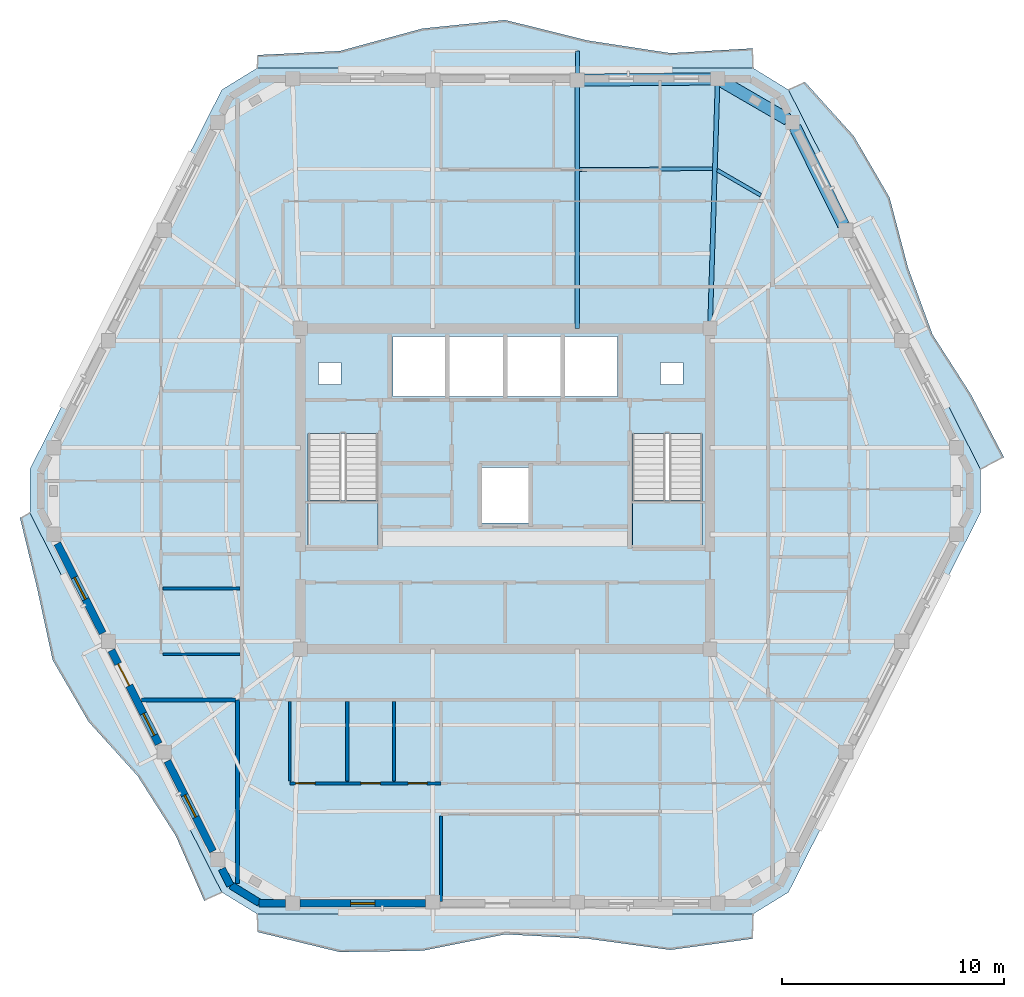
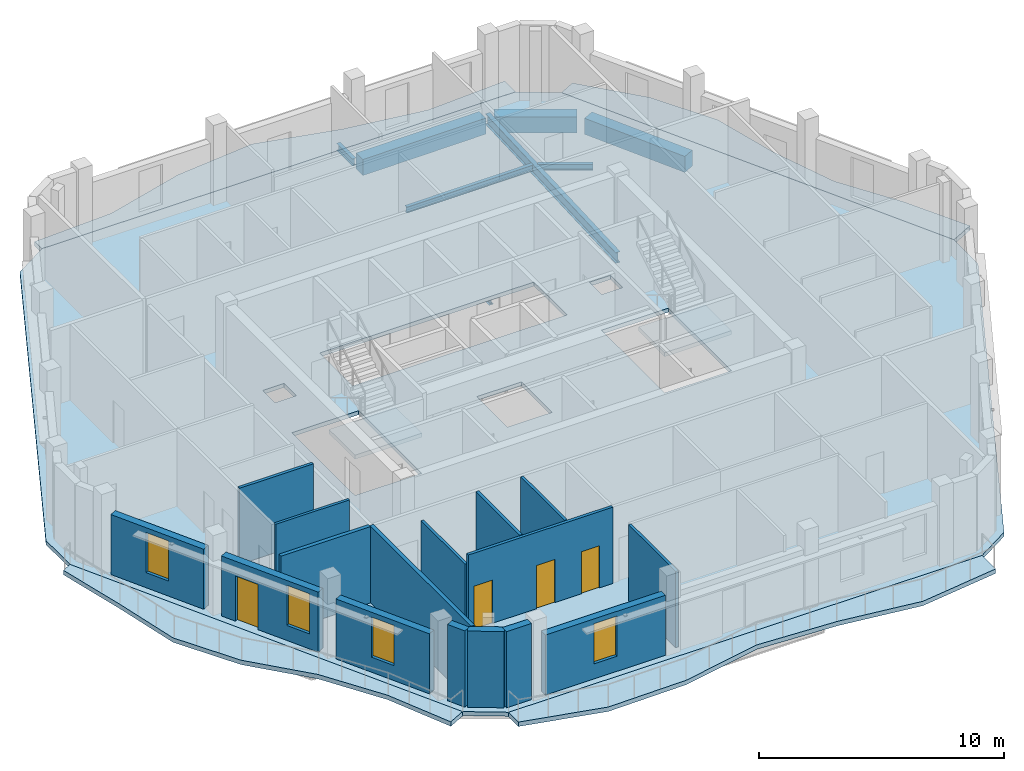
# One storey, part 3 of 11: 16 walls, 8 beams, 7 slabs, 4 doors, 4 windows, 8 openings, 2 elements without a shape of their own.
"""IFC4 building model written with IfcOpenShell, lengths in metres."""

from ifc_helpers import new_model, si_unit, direction, frame, frame_2d, origin, origin_2d, place, context, subcontext, project, spatial, polyline, rectangle, i_section, outline, extrude, material, layer, layer_set, material_profile, profile_set, type_object, element, fill, aggregate, save


model = new_model("IFC4")

# Units and contexts
model_context = context("Model", 3, precision=1e-05, world=origin(), true_north=direction((0.0, 1.0)))
body_context = subcontext(model_context, "Body", "Model", "MODEL_VIEW")
ifc_project = project(units=[si_unit("LENGTHUNIT", "METRE"), si_unit("AREAUNIT", "SQUARE_METRE"), si_unit("VOLUMEUNIT", "CUBIC_METRE"), si_unit("PLANEANGLEUNIT", "RADIAN"), si_unit("MASSUNIT", "GRAM", prefix="KILO")], contexts=[model_context])

# Site, building, storey
site_placement = place(None, origin())
site = spatial("IfcSite", under=ifc_project, at=site_placement, CompositionType="ELEMENT")
building_placement = place(site_placement, origin())
building = spatial("IfcBuilding", under=site, at=building_placement, Name="Cinnabar Lancet Tower", CompositionType="ELEMENT")
storey_placement = place(building_placement, frame((0.0, 0.0, 291.5)))
storey = spatial("IfcBuildingStorey", under=building, at=storey_placement, Name="L77", CompositionType="ELEMENT", Elevation=291.5)

# Beams
ifc_material_1 = material(Name="Structural steel S355", Category="steel")
ifc_material_profile_1 = material_profile(ifc_material_1, i_section(OverallWidth=0.1650390625, OverallDepth=0.303466796875, WebThickness=0.006103515625, FlangeThickness=0.01025390625, FilletRadius=0.0087890625, at=origin_2d()), Name="UKB 305x165x40")
ifc_profile_set_1 = profile_set([ifc_material_profile_1], Name="Structural steel S355")
beam_type_1 = type_object("IfcBeamType", Name="STR-BM-JST-305", PredefinedType="JOIST", material=ifc_profile_set_1)
beam_1_placement = place(storey_placement, frame((43.912109375, 39.1201171875, -0.35205078125), z_axis=(-0.865426285481, 0.501036270542, 0.0), x_axis=(-0.501036270542, -0.865426285481, 0.0)))
element("IfcBeam", 1, at=beam_1_placement, inside=storey, type_object=beam_type_1, Name="L77 Secondary Floor Joist 29", PredefinedType="JOIST", context=body_context, shape_type="SweptSolid", body=[
    extrude(i_section(OverallWidth=0.1650390625, OverallDepth=0.303466796875, WebThickness=0.006103515625, FlangeThickness=0.01025390625, FilletRadius=0.0087890625, at=origin_2d()), origin(), (0.0, 0.0, 1.0), 2.267333984375),
])
beam_2_placement = place(storey_placement, frame((41.741943359375, 40.31494140625, -0.35205078125), z_axis=(-0.999985712428, -0.005345553266, 0.0), x_axis=(0.005345553266, -0.999985712428, 0.0)))
element("IfcBeam", 2, at=beam_2_placement, inside=storey, type_object=beam_type_1, Name="L77 Secondary Floor Joist 30", PredefinedType="JOIST", context=body_context, shape_type="SweptSolid", body=[
    extrude(i_section(OverallWidth=0.1650390625, OverallDepth=0.303466796875, WebThickness=0.006103515625, FlangeThickness=0.01025390625, FilletRadius=0.0087890625, at=origin_2d()), origin(), (0.0, 0.0, 1.0), 5.98291015625),
])
ifc_material_2 = material(Name="Concrete C50/60", Category="concrete")
ifc_material_profile_2 = material_profile(ifc_material_2, rectangle(XDim=0.550048828125, YDim=0.800048828125, at=origin_2d()), Name="RC-SB 550x800")
ifc_profile_set_2 = profile_set([ifc_material_profile_2], Name="Concrete C50/60")
beam_type_2 = type_object("IfcBeamType", Name="STR-BM-RCSB-800", PredefinedType="SPANDREL", material=ifc_profile_set_2)
beam_3_placement = place(storey_placement, frame((47.637939453125, 37.778076171875, -0.60009765625), z_axis=(-0.444372599207, 0.895842058107, 0.0), x_axis=(-0.895842058107, -0.444372599207, 0.0)))
element("IfcBeam", 3, at=beam_3_placement, inside=storey, type_object=beam_type_2, Name="L77 Perimeter Spandrel 11", PredefinedType="SPANDREL", context=body_context, shape_type="SweptSolid", body=[
    extrude(rectangle(XDim=0.550048828125, YDim=0.800048828125, at=origin_2d()), origin(), (0.0, 0.0, 1.0), 4.91943359375),
])
beam_4_placement = place(storey_placement, frame((45.125, 42.533935546875, -0.60009765625), z_axis=(-0.865199693264, 0.501427453153, 0.0), x_axis=(-0.501427453153, -0.865199693264, 0.0)))
element("IfcBeam", 4, at=beam_4_placement, inside=storey, type_object=beam_type_2, Name="L77 Perimeter Spandrel 12", PredefinedType="SPANDREL", context=body_context, shape_type="SweptSolid", body=[
    extrude(rectangle(XDim=0.550048828125, YDim=0.800048828125, at=origin_2d()), origin(), (0.0, 0.0, 1.0), 3.39453125),
])
beam_5_placement = place(storey_placement, frame((41.721923828125, 44.35888671875, -0.60009765625), z_axis=(-0.999964782464, -0.008392486634, 0.0), x_axis=(0.008392486634, -0.999964782464, 0.0)))
element("IfcBeam", 5, at=beam_5_placement, inside=storey, type_object=beam_type_2, Name="L77 Perimeter Spandrel 13", PredefinedType="SPANDREL", context=body_context, shape_type="SweptSolid", body=[
    extrude(rectangle(XDim=0.550048828125, YDim=0.800048828125, at=origin_2d()), origin(), (0.0, 0.0, 1.0), 5.818115234375),
])
ifc_material_3 = material(Name="Structural steel S355", Category="steel")
ifc_material_profile_3 = material_profile(ifc_material_3, i_section(OverallWidth=0.209228515625, OverallDepth=0.533203125, WebThickness=0.010009765625, FlangeThickness=0.015625, FilletRadius=0.0126953125, at=origin_2d()), Name="UKB 533x210x92")
ifc_profile_set_3 = profile_set([ifc_material_profile_3], Name="Structural steel S355")
beam_type_3 = type_object("IfcBeamType", Name="STR-BM-UKB533-92", PredefinedType="BEAM", material=ifc_profile_set_3)
beam_6_placement = place(storey_placement, frame((41.971923828125, 44.361083984375, -0.467041015625), z_axis=(-0.030861159652, -0.999523680973, 0.0), x_axis=(0.999523680973, -0.030861159652, 0.0)))
element("IfcBeam", 6, at=beam_6_placement, inside=storey, type_object=beam_type_3, Name="L77 Primary Floor Girder 13", PredefinedType="BEAM", context=body_context, shape_type="SweptSolid", body=[
    extrude(i_section(OverallWidth=0.209228515625, OverallDepth=0.533203125, WebThickness=0.010009765625, FlangeThickness=0.015625, FilletRadius=0.0126953125, at=origin_2d()), origin(), (0.0, 0.0, 1.0), 11.241455078125),
])
beam_7_placement = place(storey_placement, frame((35.654052734375, 44.30810546875, -0.467041015625), z_axis=(0.0, -1.0, 0.0), x_axis=(1.0, 0.0, 0.0)))
element("IfcBeam", 7, at=beam_7_placement, inside=storey, type_object=beam_type_3, Name="L77 Primary Floor Girder 14", PredefinedType="BEAM", context=body_context, shape_type="SweptSolid", body=[
    extrude(i_section(OverallWidth=0.209228515625, OverallDepth=0.533203125, WebThickness=0.010009765625, FlangeThickness=0.015625, FilletRadius=0.0126953125, at=origin_2d()), origin(), (0.0, 0.0, 1.0), 11.18310546875),
])
ifc_material_4 = material(Name="Structural steel S355", Category="steel")
ifc_material_profile_4 = material_profile(ifc_material_4, i_section(OverallWidth=0.17138671875, OverallDepth=0.35498046875, WebThickness=0.00732421875, FlangeThickness=0.011474609375, FilletRadius=0.01025390625, at=origin_2d()), Name="UKB 356x171x51")
ifc_profile_set_4 = profile_set([ifc_material_profile_4], Name="Structural steel S355")
beam_type_4 = type_object("IfcBeamType", Name="STR-BM-WAV-OUT", PredefinedType="BEAM", material=ifc_profile_set_4)
beam_8_placement = place(storey_placement, frame((35.654052734375, 44.30810546875, -0.39794921875), z_axis=(0.0, 1.0, 0.0), x_axis=(-1.0, 0.0, 0.0)))
element("IfcBeam", 8, at=beam_8_placement, inside=storey, type_object=beam_type_4, Name="L77 Face 4 Balcony Outlooker A", PredefinedType="BEAM", context=body_context, shape_type="SweptSolid", body=[
    extrude(i_section(OverallWidth=0.17138671875, OverallDepth=0.35498046875, WebThickness=0.00732421875, FlangeThickness=0.011474609375, FilletRadius=0.01025390625, at=origin_2d()), origin(), (0.0, 0.0, 1.0), 1.2998046875),
])

# Stair, slab
ifc_material_5 = material(Name="Concrete C40/50", Category="concrete")
stair_type = type_object("IfcStairType", Name="ST-CORE", PredefinedType="HALF_TURN_STAIR", material=ifc_material_5)
stair_1_placement = place(storey_placement, origin())
stair_1 = element("IfcStair", 9, at=stair_1_placement, inside=storey, type_object=stair_type, Name="L77 ST-1", PredefinedType="HALF_TURN_STAIR")
ifc_material_6 = material(Name="Concrete C40/50", Category="concrete")
ifc_layer_1 = layer(ifc_material_6, 0.199951171875)
ifc_layer_set_1 = layer_set([ifc_layer_1], Name="Concrete C40/50")
slab_type_1 = type_object("IfcSlabType", Name="LANDING-CORE", PredefinedType="LANDING", material=ifc_layer_set_1)
slab_1_placement = place(storey_placement, frame((0.0, 0.0, 1.800048828125)))
slab_1 = element("IfcSlab", 10, at=slab_1_placement, type_object=slab_type_1, Name="ST-1 landing 1", PredefinedType="LANDING", context=body_context, shape_type="SweptSolid", body=[
    extrude(outline(polyline([(23.52490234375, 25.375), (23.52490234375, 23.25), (26.675048828125, 23.25), (26.675048828125, 25.375), (23.52490234375, 25.375)])), origin(), (0.0, 0.0, 1.0), 0.199951171875),
])
aggregate(stair_1, [slab_1])

stair_2_placement = place(storey_placement, origin())
stair_2 = element("IfcStair", 11, at=stair_2_placement, inside=storey, type_object=stair_type, Name="L77 ST-2", PredefinedType="HALF_TURN_STAIR")
slab_2_placement = place(storey_placement, frame((0.0, 0.0, 1.800048828125)))
slab_2 = element("IfcSlab", 12, at=slab_2_placement, type_object=slab_type_1, Name="ST-2 landing 1", PredefinedType="LANDING", context=body_context, shape_type="SweptSolid", body=[
    extrude(outline(polyline([(38.125, 25.375), (38.125, 23.25), (41.27490234375, 23.25), (41.27490234375, 25.375), (38.125, 25.375)])), origin(), (0.0, 0.0, 1.0), 0.199951171875),
])
aggregate(stair_2, [slab_2])

# Slabs
ifc_material_7 = material(Name="Concrete C40/50", Category="concrete")
ifc_layer_2 = layer(ifc_material_7, 0.199951171875)
ifc_layer_set_2 = layer_set([ifc_layer_2], Name="Concrete C40/50")
slab_type_2 = type_object("IfcSlabType", Name="STR-SLB-FLR-200", PredefinedType="FLOOR", material=ifc_layer_set_2)
slab_3_placement = place(storey_placement, frame((0.0, 0.0, -0.199951171875)))
element("IfcSlab", 13, at=slab_3_placement, inside=storey, type_object=slab_type_2, Name="L77 Structural Floor Slab", PredefinedType="FLOOR", context=body_context, shape_type="SweptSolid", body=[
    extrude(outline(polyline([(19.638916015625, 7.73193359375), (21.236083984375, 6.75), (43.56396484375, 6.75), (45.160888671875, 7.73193359375), (53.802978515625, 24.818115234375), (53.802978515625, 26.781982421875), (45.160888671875, 43.867919921875), (43.56396484375, 44.85009765625), (21.236083984375, 44.85009765625), (19.638916015625, 43.867919921875), (10.9970703125, 26.781982421875), (10.9970703125, 24.818115234375), (19.638916015625, 7.73193359375)]), holes=[polyline([(23.52490234375, 23.25), (26.675048828125, 23.25), (26.675048828125, 28.3994140625), (23.52490234375, 28.3994140625), (23.52490234375, 23.25)]), polyline([(38.125, 23.25), (41.27490234375, 23.25), (41.27490234375, 28.3994140625), (38.125, 28.3994140625), (38.125, 23.25)]), polyline([(27.35009765625, 30.050048828125), (37.449951171875, 30.050048828125), (37.449951171875, 32.75), (27.35009765625, 32.75), (27.35009765625, 30.050048828125)]), polyline([(31.35009765625, 24.35009765625), (33.449951171875, 24.35009765625), (33.449951171875, 26.85009765625), (31.35009765625, 26.85009765625), (31.35009765625, 24.35009765625)]), polyline([(24.0, 30.60009765625), (25.0, 30.60009765625), (25.0, 31.60009765625), (24.0, 31.60009765625), (24.0, 30.60009765625)]), polyline([(39.39990234375, 30.60009765625), (40.39990234375, 30.60009765625), (40.39990234375, 31.60009765625), (39.39990234375, 31.60009765625), (39.39990234375, 30.60009765625)])]), origin(), (0.0, 0.0, 1.0), 0.199951171875),
])
ifc_material_8 = material(Name="Concrete C45/55", Category="concrete")
ifc_layer_3 = layer(ifc_material_8, 0.219970703125)
ifc_layer_set_3 = layer_set([ifc_layer_3], Name="Concrete C45/55")
slab_type_3 = type_object("IfcSlabType", Name="STR-SLB-WAV-220", PredefinedType="FLOOR", material=ifc_layer_set_3)
slab_4_placement = place(storey_placement, frame((0.0, 0.0, -0.219970703125)))
element("IfcSlab", 14, at=slab_4_placement, inside=storey, type_object=slab_type_3, Name="L77 Face 1 Undulating Wave Balcony Slab", PredefinedType="FLOOR", context=body_context, shape_type="SweptSolid", body=[
    extrude(outline(polyline([(21.236083984375, 6.75), (21.236083984375, 5.943115234375), (24.95703125, 5.035888671875), (28.678955078125, 5.097900390625), (32.39990234375, 5.8359375), (36.12109375, 5.637939453125), (39.843017578125, 5.133056640625), (43.56396484375, 5.64208984375), (43.56396484375, 6.75), (21.236083984375, 6.75)])), origin(), (0.0, 0.0, 1.0), 0.219970703125),
])
slab_5_placement = place(storey_placement, frame((0.0, 0.0, -0.219970703125)))
element("IfcSlab", 15, at=slab_5_placement, inside=storey, type_object=slab_type_3, Name="L77 Face 3 Undulating Wave Balcony Slab", PredefinedType="FLOOR", context=body_context, shape_type="SweptSolid", body=[
    extrude(outline(polyline([(53.802978515625, 26.781982421875), (54.866943359375, 27.320068359375), (53.37890625, 30.14404296875), (51.64892578125, 32.844970703125), (50.5419921875, 35.861083984375), (49.7119140625, 39.01806640625), (48.10400390625, 41.780029296875), (45.887939453125, 44.236083984375), (45.160888671875, 43.867919921875), (53.802978515625, 26.781982421875)])), origin(), (0.0, 0.0, 1.0), 0.219970703125),
])
slab_6_placement = place(storey_placement, frame((0.0, 0.0, -0.219970703125)))
element("IfcSlab", 16, at=slab_6_placement, inside=storey, type_object=slab_type_3, Name="L77 Face 4 Undulating Wave Balcony Slab", PredefinedType="FLOOR", context=body_context, shape_type="SweptSolid", body=[
    extrude(outline(polyline([(43.56396484375, 44.85009765625), (43.56396484375, 45.736083984375), (39.843017578125, 45.52099609375), (36.12109375, 46.090087890625), (32.39990234375, 47.013916015625), (28.678955078125, 46.6298828125), (24.95703125, 45.617919921875), (21.236083984375, 45.43505859375), (21.236083984375, 44.85009765625), (43.56396484375, 44.85009765625)])), origin(), (0.0, 0.0, 1.0), 0.219970703125),
])
slab_7_placement = place(storey_placement, frame((0.0, 0.0, -0.219970703125)))
element("IfcSlab", 17, at=slab_7_placement, inside=storey, type_object=slab_type_3, Name="L77 Face 6 Undulating Wave Balcony Slab", PredefinedType="FLOOR", context=body_context, shape_type="SweptSolid", body=[
    extrude(outline(polyline([(10.9970703125, 24.818115234375), (10.551025390625, 24.592041015625), (11.324951171875, 21.407958984375), (12.02294921875, 18.18505859375), (13.632080078125, 15.422119140625), (15.84912109375, 12.967041015625), (17.572998046875, 10.262939453125), (18.85498046875, 7.3359375), (19.638916015625, 7.73193359375), (10.9970703125, 24.818115234375)])), origin(), (0.0, 0.0, 1.0), 0.219970703125),
])

# Walls
ifc_material_9 = material(Name="Fire-rated twin-frame acoustic drywall", Category="gypsum")
ifc_layer_4 = layer(ifc_material_9, 0.179931640625)
ifc_layer_set_4 = layer_set([ifc_layer_4], Name="Fire-rated twin-frame acoustic drywall")
wall_type_1 = type_object("IfcWallType", Name="ARC-WL-PARTY-180", PredefinedType="PARTITIONING", material=ifc_layer_set_4)
wall_1_placement = place(storey_placement, frame((20.35009765625, 8.118896484375, 0.0), z_axis=(0.0, 0.0, 1.0), x_axis=(0.0, 1.0, 0.0)))
element("IfcWall", 18, at=wall_1_placement, inside=storey, type_object=wall_type_1, Name="PW-L77-SPTY-204", PredefinedType="PARTITIONING", context=body_context, shape_type="SweptSolid", body=[
    extrude(rectangle(XDim=8.281005859375, YDim=0.179931640625, at=frame_2d((4.140625, 0.0))), origin(), (0.0, 0.0, 1.0), 3.800048828125),
])
wall_2_placement = place(storey_placement, frame((16.033935546875, 16.39990234375, 0.0), z_axis=(0.0, 0.0, 1.0), x_axis=(1.0, 0.0, 0.0)))
element("IfcWall", 19, at=wall_2_placement, inside=storey, type_object=wall_type_1, Name="PW-L77-WSB", PredefinedType="PARTITIONING", context=body_context, shape_type="SweptSolid", body=[
    extrude(rectangle(XDim=4.220947265625, YDim=0.179931640625, at=frame_2d((2.1103515625, 0.0))), origin(), (0.0, 0.0, 1.0), 3.800048828125),
])
ifc_material_10 = material(Name="Gypsum plasterboard stud partition", Category="gypsum")
ifc_layer_5 = layer(ifc_material_10, 0.125)
ifc_layer_set_5 = layer_set([ifc_layer_5], Name="Gypsum plasterboard stud partition")
wall_type_2 = type_object("IfcWallType", Name="ARC-WL-UNIT-125", PredefinedType="PARTITIONING", material=ifc_layer_set_5)
wall_3_placement = place(storey_placement, frame((22.699951171875, 12.737060546875, 0.0), z_axis=(0.0, 0.0, 1.0), x_axis=(0.0, 1.0, 0.0)))
element("IfcWall", 20, at=wall_3_placement, inside=storey, type_object=wall_type_2, Name="UW-L77-S01-FOYE", PredefinedType="PARTITIONING", context=body_context, shape_type="SweptSolid", body=[
    extrude(rectangle(XDim=3.577880859375, YDim=0.125, at=frame_2d((1.7890625, 0.0))), origin(), (0.0, 0.0, 1.0), 3.257080078125),
])
wall_4_placement = place(storey_placement, frame((27.39794921875, 12.737060546875, 0.0), z_axis=(0.0, 0.0, 1.0), x_axis=(0.0, 1.0, 0.0)))
element("IfcWall", 21, at=wall_4_placement, inside=storey, type_object=wall_type_2, Name="UW-L77-S01-STD", PredefinedType="PARTITIONING", context=body_context, shape_type="SweptSolid", body=[
    extrude(rectangle(XDim=3.577880859375, YDim=0.125, at=frame_2d((1.7890625, 0.0))), origin(), (0.0, 0.0, 1.0), 3.800048828125),
])
wall_5_placement = place(storey_placement, frame((29.508056640625, 7.31494140625, 0.0), z_axis=(0.0, 0.0, 1.0), x_axis=(0.0, 1.0, 0.0)))
element("IfcWall", 22, at=wall_5_placement, inside=storey, type_object=wall_type_2, Name="UW-L77-S01-BD2W", PredefinedType="PARTITIONING", context=body_context, shape_type="SweptSolid", body=[
    extrude(rectangle(XDim=3.85205078125, YDim=0.125, at=frame_2d((1.926025390625, 0.0))), origin(), (0.0, 0.0, 1.0), 3.800048828125),
])
wall_6_placement = place(storey_placement, frame((16.985107421875, 18.449951171875, 0.0), z_axis=(0.0, 0.0, 1.0), x_axis=(1.0, 0.0, 0.0)))
element("IfcWall", 23, at=wall_6_placement, inside=storey, type_object=wall_type_2, Name="UW-L77-W01-FOYN", PredefinedType="PARTITIONING", context=body_context, shape_type="SweptSolid", body=[
    extrude(rectangle(XDim=3.47998046875, YDim=0.125, at=frame_2d((1.739990234375, 0.0))), origin(), (0.0, 0.0, 1.0), 3.800048828125),
])

# Wall, openings, doors
ifc_material_11 = material(Name="Moisture-resistant cement-board plumbing wall", Category="masonry")
ifc_layer_6 = layer(ifc_material_11, 0.139892578125)
ifc_layer_set_6 = layer_set([ifc_layer_6], Name="Moisture-resistant cement-board plumbing wall")
wall_type_3 = type_object("IfcWallType", Name="ARC-WL-WET-140", PredefinedType="PLUMBINGWALL", material=ifc_layer_set_6)
wall_7_placement = place(storey_placement, frame((22.699951171875, 12.632080078125, 0.0), z_axis=(0.0, 0.0, 1.0), x_axis=(1.0, 0.0, 0.0)))
wall_7 = element("IfcWall", 24, at=wall_7_placement, inside=storey, type_object=wall_type_3, Name="UW-L77-S01-SPL", PredefinedType="PLUMBINGWALL", context=body_context, shape_type="SweptSolid", body=[
    extrude(rectangle(XDim=6.80810546875, YDim=0.139892578125, at=frame_2d((3.404052734375, 0.0))), origin(), (0.0, 0.0, 1.0), 3.800048828125),
])
opening_1_placement = place(wall_7_placement, frame((5.327880859375, 0.0, 0.0)))
opening_1 = element("IfcOpeningElement", 25, at=opening_1_placement, cuts=wall_7, Name="Opening BD-01", PredefinedType="OPENING", context=body_context, shape_type="SweptSolid", body=[
    extrude(rectangle(XDim=0.860107421875, YDim=2.10009765625, at=frame_2d((0.43017578125, 1.050048828125))), frame((0.0, 0.079833984375, 0.0), z_axis=(0.0, -1.0, 0.0), x_axis=(1.0, 0.0, 0.0)), (0.0, 0.0, 1.0), 0.159912109375),
])
opening_2_placement = place(wall_7_placement, frame((0.260009765625, 0.0, 0.0)))
opening_2 = element("IfcOpeningElement", 26, at=opening_2_placement, cuts=wall_7, Name="Opening RD-02", PredefinedType="OPENING", context=body_context, shape_type="SweptSolid", body=[
    extrude(rectangle(XDim=0.8798828125, YDim=2.14990234375, at=frame_2d((0.43994140625, 1.074951171875))), frame((0.0, 0.079833984375, 0.0), z_axis=(0.0, -1.0, 0.0), x_axis=(1.0, 0.0, 0.0)), (0.0, 0.0, 1.0), 0.159912109375),
])
opening_3_placement = place(wall_7_placement, frame((3.202880859375, 0.0, 0.0)))
opening_3 = element("IfcOpeningElement", 27, at=opening_3_placement, cuts=wall_7, Name="Opening RD-02", PredefinedType="OPENING", context=body_context, shape_type="SweptSolid", body=[
    extrude(rectangle(XDim=0.8798828125, YDim=2.14990234375, at=frame_2d((0.43994140625, 1.074951171875))), frame((0.0, 0.079833984375, 0.0), z_axis=(0.0, -1.0, 0.0), x_axis=(1.0, 0.0, 0.0)), (0.0, 0.0, 1.0), 0.159912109375),
])
ifc_material_12 = material(Name="Moisture-resistant timber bathroom door", Category="wood")
door_type_1 = type_object("IfcDoorType", Name="ARC-DR-BATH", OperationType="NOTDEFINED", PredefinedType="DOOR", material=ifc_material_12)
door_1_placement = place(opening_1_placement, origin())
door_1 = element("IfcDoor", 28, at=door_1_placement, inside=storey, type_object=door_type_1, Name="DR-L77-S01-BTH", OperationType="SINGLE_SWING_RIGHT", OverallHeight=2.10009765625, OverallWidth=0.860107421875, PredefinedType="DOOR", context=body_context, shape_type="SweptSolid", body=[
    extrude(rectangle(XDim=0.860107421875, YDim=2.10009765625, at=frame_2d((0.43017578125, 1.050048828125))), frame((0.0, 0.02490234375, 0.0), z_axis=(0.0, -1.0, 0.0), x_axis=(1.0, 0.0, 0.0)), (0.0, 0.0, 1.0), 0.050048828125),
])
fill(opening_1, door_1)
ifc_material_13 = material(Name="Engineered timber study door", Category="wood")
door_type_2 = type_object("IfcDoorType", Name="ARC-DR-STUDY", OperationType="NOTDEFINED", PredefinedType="DOOR", material=ifc_material_13)
door_2_placement = place(opening_2_placement, origin())
door_2 = element("IfcDoor", 29, at=door_2_placement, inside=storey, type_object=door_type_2, Name="DR-L77-S01-KIT", OperationType="SINGLE_SWING_RIGHT", OverallHeight=2.14990234375, OverallWidth=0.8798828125, PredefinedType="DOOR", context=body_context, shape_type="SweptSolid", body=[
    extrude(rectangle(XDim=0.8798828125, YDim=2.14990234375, at=frame_2d((0.43994140625, 1.074951171875))), frame((0.0, 0.02490234375, 0.0), z_axis=(0.0, -1.0, 0.0), x_axis=(1.0, 0.0, 0.0)), (0.0, 0.0, 1.0), 0.050048828125),
])
fill(opening_2, door_2)
door_3_placement = place(opening_3_placement, origin())
door_3 = element("IfcDoor", 30, at=door_3_placement, inside=storey, type_object=door_type_2, Name="DR-L77-S01-STD", OperationType="SINGLE_SWING_LEFT", OverallHeight=2.14990234375, OverallWidth=0.8798828125, PredefinedType="DOOR", context=body_context, shape_type="SweptSolid", body=[
    extrude(rectangle(XDim=0.8798828125, YDim=2.14990234375, at=frame_2d((0.43994140625, 1.074951171875))), frame((0.0, 0.02490234375, 0.0), z_axis=(0.0, -1.0, 0.0), x_axis=(1.0, 0.0, 0.0)), (0.0, 0.0, 1.0), 0.050048828125),
])
fill(opening_3, door_3)

# Walls
wall_8_placement = place(storey_placement, frame((25.287109375, 12.737060546875, 0.0), z_axis=(0.0, 0.0, 1.0), x_axis=(0.0, 1.0, 0.0)))
element("IfcWall", 31, at=wall_8_placement, inside=storey, type_object=wall_type_3, Name="UW-L77-S01-KDV", PredefinedType="PLUMBINGWALL", context=body_context, shape_type="SweptSolid", body=[
    extrude(rectangle(XDim=3.577880859375, YDim=0.139892578125, at=frame_2d((1.7890625, 0.0))), origin(), (0.0, 0.0, 1.0), 3.800048828125),
])
wall_9_placement = place(storey_placement, frame((16.985107421875, 21.4169921875, 0.0), z_axis=(0.0, 0.0, 1.0), x_axis=(1.0, 0.0, 0.0)))
element("IfcWall", 32, at=wall_9_placement, inside=storey, type_object=wall_type_3, Name="UW-L77-W01-KDV", PredefinedType="PLUMBINGWALL", context=body_context, shape_type="SweptSolid", body=[
    extrude(rectangle(XDim=3.47998046875, YDim=0.139892578125, at=frame_2d((1.739990234375, 0.0))), origin(), (0.0, 0.0, 1.0), 3.800048828125),
])
ifc_material_14 = material(Name="Cinnabar red clay brick", Category="masonry")
ifc_layer_7 = layer(ifc_material_14, 0.340087890625)
ifc_layer_set_7 = layer_set([ifc_layer_7], Name="Cinnabar red clay brick")
wall_type_4 = type_object("IfcWallType", Name="ENV-WL-BRK-RED-340", PredefinedType="STANDARD", material=ifc_layer_set_7)
wall_10_placement = place(storey_placement, frame((20.047119140625, 8.044921875, 0.0), z_axis=(0.0, 0.0, 1.0), x_axis=(0.851680557619, -0.52406128246, 0.0)))
element("IfcWall", 33, at=wall_10_placement, inside=storey, type_object=wall_type_4, Name="L77 Chamfered Corner Brick Pier 1.1", PredefinedType="STANDARD", context=body_context, shape_type="SweptSolid", body=[
    extrude(rectangle(XDim=1.507568359375, YDim=0.340087890625, at=frame_2d((0.75390625, 0.0))), origin(), (0.0, 0.0, 1.0), 3.800048828125),
])
wall_11_placement = place(storey_placement, frame((21.325927734375, 7.22998046875, 0.0), z_axis=(0.0, 0.0, 1.0), x_axis=(1.0, 0.0, 0.0)))
element("IfcWall", 34, at=wall_11_placement, inside=storey, type_object=wall_type_4, Name="L77 Face 1 Masonry Bay Wall 1", PredefinedType="STANDARD", context=body_context, shape_type="SweptSolid", body=[
    extrude(rectangle(XDim=1.173095703125, YDim=0.340087890625, at=frame_2d((0.58642578125, 0.0))), origin(), (0.0, 0.0, 1.0), 3.800048828125),
])

# Wall, opening, window
wall_12_placement = place(storey_placement, frame((23.156982421875, 7.22998046875, 0.0), z_axis=(0.0, 0.0, 1.0), x_axis=(1.0, 0.0, 0.0)))
wall_12 = element("IfcWall", 35, at=wall_12_placement, inside=storey, type_object=wall_type_4, Name="L77 Face 1 Masonry Bay Wall 2", PredefinedType="STANDARD", context=body_context, shape_type="SweptSolid", body=[
    extrude(rectangle(XDim=5.659912109375, YDim=0.340087890625, at=frame_2d((2.830078125, 0.0))), origin(), (0.0, 0.0, 1.0), 2.989990234375),
])
opening_4_placement = place(wall_12_placement, frame((2.280029296875, 0.0, 0.75)))
opening_4 = element("IfcOpeningElement", 36, at=opening_4_placement, cuts=wall_12, Name="Opening WN-04", PredefinedType="OPENING", context=body_context, shape_type="SweptSolid", body=[
    extrude(rectangle(XDim=1.10009765625, YDim=2.0, at=frame_2d((0.550048828125, 1.0))), frame((0.0, 0.179931640625, 0.0), z_axis=(0.0, -1.0, 0.0), x_axis=(1.0, 0.0, 0.0)), (0.0, 0.0, 1.0), 0.360107421875),
])
ifc_material_15 = material(Name="Thermally broken bronze-anodized aluminium tall lancet window", Category="aluminium")
window_type = type_object("IfcWindowType", Name="ENV-WN-LANCET-1100", PartitioningType="SINGLE_PANEL", PredefinedType="WINDOW", material=ifc_material_15)
window_1_placement = place(opening_4_placement, origin())
window_1 = element("IfcWindow", 37, at=window_1_placement, inside=storey, type_object=window_type, Name="L77 Face 1 Gothic Lancet Window 2", OverallHeight=2.0, OverallWidth=1.10009765625, PartitioningType="SINGLE_PANEL", PredefinedType="WINDOW", context=body_context, shape_type="SweptSolid", body=[
    extrude(rectangle(XDim=1.10009765625, YDim=2.0, at=frame_2d((0.550048828125, 1.0))), frame((0.0, 0.030029296875, 0.0), z_axis=(0.0, -1.0, 0.0), x_axis=(1.0, 0.0, 0.0)), (0.0, 0.0, 1.0), 0.06005859375),
])
fill(opening_4, window_1)

wall_13_placement = place(storey_placement, frame((12.23193359375, 23.43896484375, 0.0), z_axis=(0.0, 0.0, 1.0), x_axis=(0.45147697324, -0.892282770558, 0.0)))
wall_13 = element("IfcWall", 38, at=wall_13_placement, inside=storey, type_object=wall_type_4, Name="L77 Face 6 Masonry Bay Wall 2", PredefinedType="STANDARD", context=body_context, shape_type="SweptSolid", body=[
    extrude(rectangle(XDim=4.530029296875, YDim=0.340087890625, at=frame_2d((2.26513671875, 0.0))), origin(), (0.0, 0.0, 1.0), 2.989990234375),
])
opening_5_placement = place(wall_13_placement, frame((1.715087890625, 0.0, 0.75)))
opening_5 = element("IfcOpeningElement", 39, at=opening_5_placement, cuts=wall_13, Name="Opening WN-04", PredefinedType="OPENING", context=body_context, shape_type="SweptSolid", body=[
    extrude(rectangle(XDim=1.10009765625, YDim=2.0, at=frame_2d((0.550048828125, 1.0))), frame((0.0, 0.179931640625, 0.0), z_axis=(0.0, -1.0, 0.0), x_axis=(1.0, 0.0, 0.0)), (0.0, 0.0, 1.0), 0.360107421875),
])
window_2_placement = place(opening_5_placement, origin())
window_2 = element("IfcWindow", 40, at=window_2_placement, inside=storey, type_object=window_type, Name="L77 Face 6 Gothic Lancet Window 2", OverallHeight=2.0, OverallWidth=1.10009765625, PartitioningType="SINGLE_PANEL", PredefinedType="WINDOW", context=body_context, shape_type="SweptSolid", body=[
    extrude(rectangle(XDim=1.10009765625, YDim=2.0, at=frame_2d((0.550048828125, 1.0))), frame((0.0, 0.030029296875, 0.0), z_axis=(0.0, -1.0, 0.0), x_axis=(1.0, 0.0, 0.0)), (0.0, 0.0, 1.0), 0.06005859375),
])
fill(opening_5, window_2)

# Wall, openings, door, window
wall_14_placement = place(storey_placement, frame((14.666015625, 18.626953125, 0.0), z_axis=(0.0, 0.0, 1.0), x_axis=(0.451468341582, -0.892287137949, 0.0)))
wall_14 = element("IfcWall", 41, at=wall_14_placement, inside=storey, type_object=wall_type_4, Name="L77 Face 6 Masonry Bay Wall 3", PredefinedType="STANDARD", context=body_context, shape_type="SweptSolid", body=[
    extrude(rectangle(XDim=4.72265625, YDim=0.340087890625, at=frame_2d((2.361328125, 0.0))), origin(), (0.0, 0.0, 1.0), 2.989990234375),
])
opening_6_placement = place(wall_14_placement, frame((0.681884765625, 0.0, 0.0)))
opening_6 = element("IfcOpeningElement", 42, at=opening_6_placement, cuts=wall_14, Name="Opening TD-01", PredefinedType="OPENING", context=body_context, shape_type="SweptSolid", body=[
    extrude(rectangle(XDim=1.10009765625, YDim=2.25, at=frame_2d((0.550048828125, 1.125))), frame((0.0, 0.179931640625, 0.0), z_axis=(0.0, -1.0, 0.0), x_axis=(1.0, 0.0, 0.0)), (0.0, 0.0, 1.0), 0.360107421875),
])
opening_7_placement = place(wall_14_placement, frame((3.18896484375, 0.0, 0.75)))
opening_7 = element("IfcOpeningElement", 43, at=opening_7_placement, cuts=wall_14, Name="Opening WN-04", PredefinedType="OPENING", context=body_context, shape_type="SweptSolid", body=[
    extrude(rectangle(XDim=1.10009765625, YDim=2.0, at=frame_2d((0.550048828125, 1.0))), frame((0.0, 0.179931640625, 0.0), z_axis=(0.0, -1.0, 0.0), x_axis=(1.0, 0.0, 0.0)), (0.0, 0.0, 1.0), 0.360107421875),
])
ifc_material_16 = material(Name="Thermally broken low-E glazed balcony terrace door", Category="wood")
door_type_3 = type_object("IfcDoorType", Name="ARC-DR-BALC", OperationType="NOTDEFINED", PredefinedType="DOOR", material=ifc_material_16)
door_4_placement = place(opening_6_placement, origin())
door_4 = element("IfcDoor", 44, at=door_4_placement, inside=storey, type_object=door_type_3, Name="L77 Face 6 Glazed Terrace Door", OperationType="SINGLE_SWING_RIGHT", OverallHeight=2.25, OverallWidth=1.10009765625, PredefinedType="DOOR", context=body_context, shape_type="SweptSolid", body=[
    extrude(rectangle(XDim=1.10009765625, YDim=2.25, at=frame_2d((0.550048828125, 1.125))), frame((0.0, 0.02490234375, 0.0), z_axis=(0.0, -1.0, 0.0), x_axis=(1.0, 0.0, 0.0)), (0.0, 0.0, 1.0), 0.050048828125),
])
fill(opening_6, door_4)
window_3_placement = place(opening_7_placement, origin())
window_3 = element("IfcWindow", 45, at=window_3_placement, inside=storey, type_object=window_type, Name="L77 Split-Bay Gothic Lancet Window 293", OverallHeight=2.0, OverallWidth=1.10009765625, PartitioningType="SINGLE_PANEL", PredefinedType="WINDOW", context=body_context, shape_type="SweptSolid", body=[
    extrude(rectangle(XDim=1.10009765625, YDim=2.0, at=frame_2d((0.550048828125, 1.0))), frame((0.0, 0.030029296875, 0.0), z_axis=(0.0, -1.0, 0.0), x_axis=(1.0, 0.0, 0.0)), (0.0, 0.0, 1.0), 0.06005859375),
])
fill(opening_7, window_3)

# Wall, opening, window
wall_15_placement = place(storey_placement, frame((17.18798828125, 13.639892578125, 0.0), z_axis=(0.0, 0.0, 1.0), x_axis=(0.45149770819, -0.892272278791, 0.0)))
wall_15 = element("IfcWall", 46, at=wall_15_placement, inside=storey, type_object=wall_type_4, Name="L77 Face 6 Masonry Bay Wall 4", PredefinedType="STANDARD", context=body_context, shape_type="SweptSolid", body=[
    extrude(rectangle(XDim=4.553466796875, YDim=0.340087890625, at=frame_2d((2.27685546875, 0.0))), origin(), (0.0, 0.0, 1.0), 2.989990234375),
])
opening_8_placement = place(wall_15_placement, frame((1.72705078125, 0.0, 0.75)))
opening_8 = element("IfcOpeningElement", 47, at=opening_8_placement, cuts=wall_15, Name="Opening WN-04", PredefinedType="OPENING", context=body_context, shape_type="SweptSolid", body=[
    extrude(rectangle(XDim=1.10009765625, YDim=2.0, at=frame_2d((0.550048828125, 1.0))), frame((0.0, 0.179931640625, 0.0), z_axis=(0.0, -1.0, 0.0), x_axis=(1.0, 0.0, 0.0)), (0.0, 0.0, 1.0), 0.360107421875),
])
window_4_placement = place(opening_8_placement, origin())
window_4 = element("IfcWindow", 48, at=window_4_placement, inside=storey, type_object=window_type, Name="L77 Face 6 Gothic Lancet Window 4", OverallHeight=2.0, OverallWidth=1.10009765625, PartitioningType="SINGLE_PANEL", PredefinedType="WINDOW", context=body_context, shape_type="SweptSolid", body=[
    extrude(rectangle(XDim=1.10009765625, YDim=2.0, at=frame_2d((0.550048828125, 1.0))), frame((0.0, 0.030029296875, 0.0), z_axis=(0.0, -1.0, 0.0), x_axis=(1.0, 0.0, 0.0)), (0.0, 0.0, 1.0), 0.06005859375),
])
fill(opening_8, window_4)

# Wall
wall_16_placement = place(storey_placement, frame((19.64208984375, 8.7890625, 0.0), z_axis=(0.0, 0.0, 1.0), x_axis=(0.451907025977, -0.8920650424, 0.0)))
element("IfcWall", 49, at=wall_16_placement, inside=storey, type_object=wall_type_4, Name="L77 Face 6 Masonry Bay Wall 5", PredefinedType="STANDARD", context=body_context, shape_type="SweptSolid", body=[
    extrude(rectangle(XDim=0.85205078125, YDim=0.340087890625, at=frame_2d((0.426025390625, 0.0))), origin(), (0.0, 0.0, 1.0), 3.800048828125),
])

save(model, "model.ifc")
